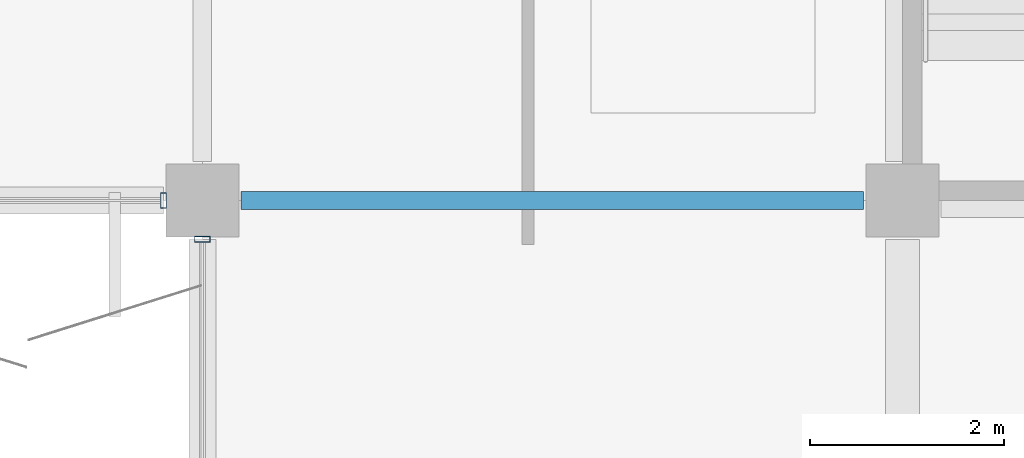
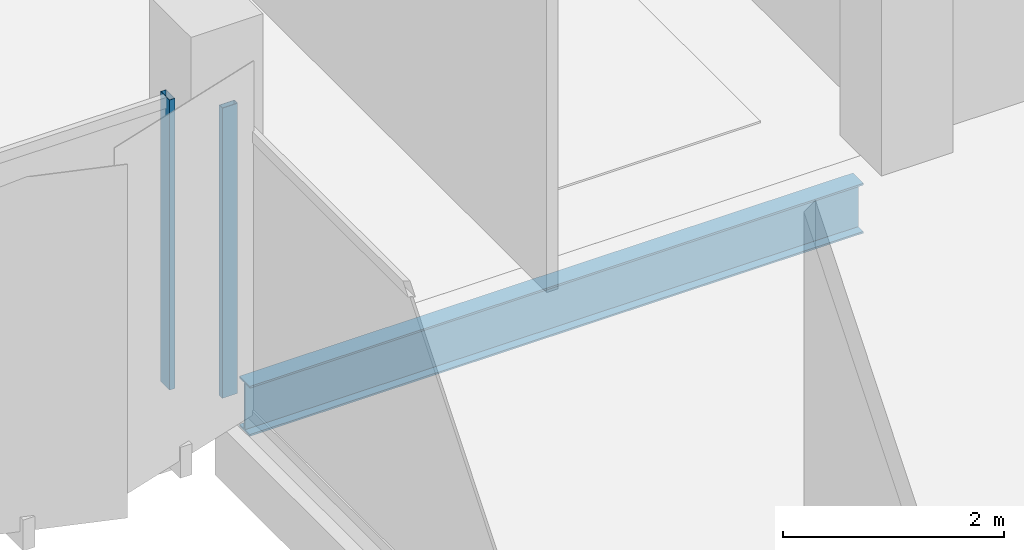
# One storey, part 55 of 108: 2 members, 1 beam, 2 elements without a shape of their own.
"""IFC4 building model written with IfcOpenShell, lengths in metres."""

from ifc_helpers import new_model, si_unit, direction, frame, origin, origin_2d, place, context, subcontext, project, spatial, hollow_rectangle, i_section, extrude, material, layer, layer_set, material_profile, profile_set, type_object, element, aggregate, save


model = new_model("IFC4")

# Units and contexts
model_context = context("Model", 3, precision=1e-05, world=origin(), true_north=direction((0.0, 1.0)))
body_context = subcontext(model_context, "Body", "Model", "MODEL_VIEW")
ifc_project = project(units=[si_unit("LENGTHUNIT", "METRE"), si_unit("AREAUNIT", "SQUARE_METRE"), si_unit("VOLUMEUNIT", "CUBIC_METRE"), si_unit("PLANEANGLEUNIT", "RADIAN"), si_unit("MASSUNIT", "GRAM", prefix="KILO")], contexts=[model_context])

# Site, building, storey
site_placement = place(None, origin())
site = spatial("IfcSite", under=ifc_project, at=site_placement, CompositionType="ELEMENT")
building_placement = place(site_placement, origin())
building = spatial("IfcBuilding", under=site, at=building_placement, Name="Kangsadwip Square Police Headquarters", CompositionType="ELEMENT")
storey_placement = place(building_placement, frame((0.0, 0.0, 9.449951171875)))
storey = spatial("IfcBuildingStorey", under=building, at=storey_placement, Name="L02", CompositionType="ELEMENT", Elevation=9.449951171875)

# Curtain wall, member
ifc_material_1 = material(Name="Thermally broken anodised aluminium AW-6063-T6", Category="aluminium")
ifc_layer_1 = layer(ifc_material_1, 0.159912109375)
ifc_layer_set_1 = layer_set([ifc_layer_1], Name="Thermally broken anodised aluminium AW-6063-T6")
curtain_wall_type_1 = type_object("IfcCurtainWallType", Name="CourtScreen6510x3200", PredefinedType="USERDEFINED", material=ifc_layer_set_1)
curtain_wall_1_placement = place(storey_placement, origin())
curtain_wall_1 = element("IfcCurtainWall", 1, at=curtain_wall_1_placement, inside=storey, type_object=curtain_wall_type_1, Name="Curtain Wall CW-L02-1371-0936", ObjectType="GLAZED_SCREEN", PredefinedType="USERDEFINED")
ifc_material_2 = material(Name="Thermally broken anodised aluminium AW-6063-T6", Category="aluminium")
ifc_material_profile_1 = material_profile(ifc_material_2, hollow_rectangle(XDim=0.06005859375, YDim=0.159912109375, WallThickness=0.00390625, at=origin_2d()), Name="CWM 160X60X4")
ifc_profile_set_1 = profile_set([ifc_material_profile_1], Name="Thermally broken anodised aluminium AW-6063-T6")
member_type = type_object("IfcMemberType", Name="CwMullion135x60", PredefinedType="MULLION", material=ifc_profile_set_1)
member_1_placement = place(storey_placement, frame((143.60009765625, 93.60009765625, 0.0), z_axis=(0.0, 0.0, 1.0), x_axis=(1.0, 0.0, 0.0)))
member_1 = element("IfcMember", 2, at=member_1_placement, type_object=member_type, Name="CW-19 mullion 2", PredefinedType="MULLION", context=body_context, shape_type="SweptSolid", body=[
    extrude(hollow_rectangle(XDim=0.06005859375, YDim=0.159912109375, WallThickness=0.00390625, at=origin_2d()), origin(), (0.0, 0.0, 1.0), 3.199951171875),
])
aggregate(curtain_wall_1, [member_1])

ifc_material_3 = material(Name="Thermally broken anodised aluminium AW-6063-T6", Category="aluminium")
ifc_layer_2 = layer(ifc_material_3, 0.159912109375)
ifc_layer_set_2 = layer_set([ifc_layer_2], Name="Thermally broken anodised aluminium AW-6063-T6")
curtain_wall_type_2 = type_object("IfcCurtainWallType", Name="CourtScreen6460x3200", PredefinedType="USERDEFINED", material=ifc_layer_set_2)
curtain_wall_2_placement = place(storey_placement, origin())
curtain_wall_2 = element("IfcCurtainWall", 3, at=curtain_wall_2_placement, inside=storey, type_object=curtain_wall_type_2, Name="Curtain Wall CW-L02-1440-0868", ObjectType="GLAZED_SCREEN", PredefinedType="USERDEFINED")
member_2_placement = place(storey_placement, frame((144.0, 93.199951171875, 0.0), z_axis=(0.0, 0.0, 1.0), x_axis=(0.0, 1.0, 0.0)))
member_2 = element("IfcMember", 4, at=member_2_placement, type_object=member_type, Name="CW-16 mullion 2", PredefinedType="MULLION", context=body_context, shape_type="SweptSolid", body=[
    extrude(hollow_rectangle(XDim=0.06005859375, YDim=0.159912109375, WallThickness=0.00390625, at=origin_2d()), origin(), (0.0, 0.0, 1.0), 3.199951171875),
])
aggregate(curtain_wall_2, [member_2])

# Beam
ifc_material_4 = material(Name="Structural steel IS 2062 E350 (Grade 350, 350 MPa)", Category="steel")
ifc_material_profile_2 = material_profile(ifc_material_4, i_section(OverallWidth=0.18994140625, OverallDepth=0.550048828125, WebThickness=0.01123046875, FlangeThickness=0.019287109375, at=origin_2d()), Name="ISMB 550")
ifc_profile_set_2 = profile_set([ifc_material_profile_2], Name="Structural steel IS 2062 E350 (Grade 350, 350 MPa)")
beam_type = type_object("IfcBeamType", Name="SteelBeamIsmb550", PredefinedType="BEAM", material=ifc_profile_set_2)
beam_placement = place(storey_placement, frame((144.39990234375, 93.60009765625, -0.514892578125), z_axis=(1.0, 0.0, 0.0), x_axis=(0.0, 1.0, 0.0)))
element("IfcBeam", 5, at=beam_placement, inside=storey, type_object=beam_type, Name="Beam BM-L02-X-20-13", PredefinedType="BEAM", context=body_context, shape_type="SweptSolid", body=[
    extrude(i_section(OverallWidth=0.18994140625, OverallDepth=0.550048828125, WebThickness=0.01123046875, FlangeThickness=0.019287109375, at=origin_2d()), origin(), (0.0, 0.0, 1.0), 6.400146484375),
])

save(model, "model.ifc")
